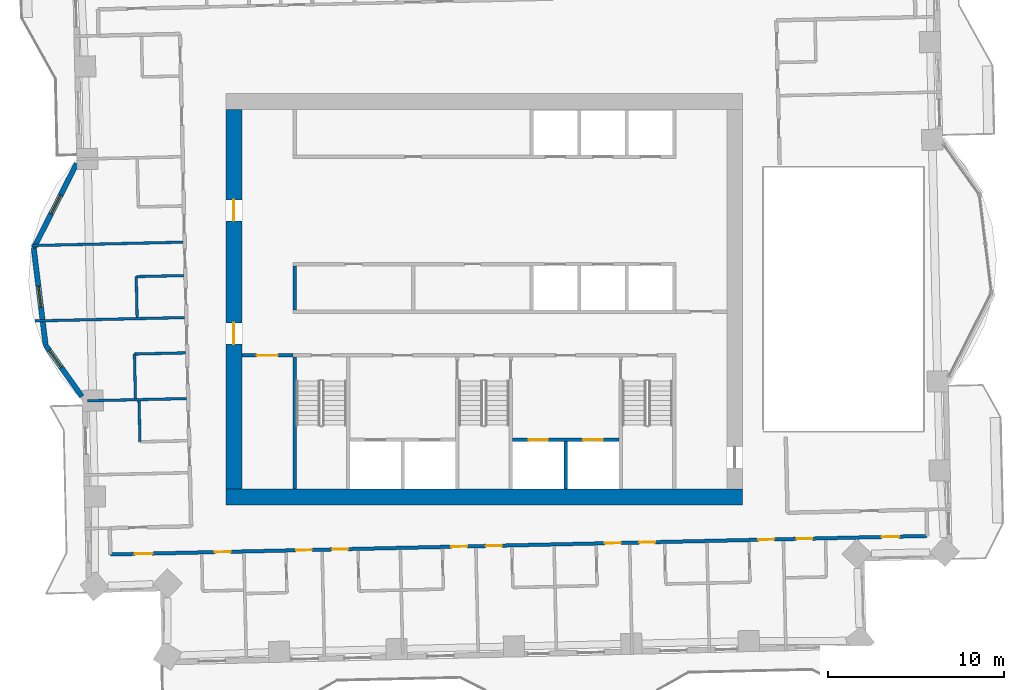
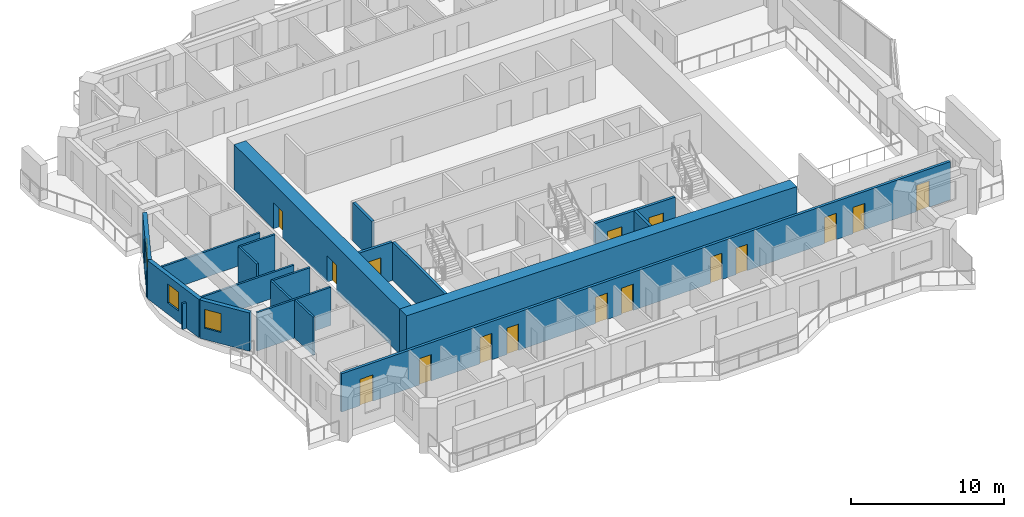
# One storey, part 7 of 16: 19 walls, 16 doors, 3 windows, 19 openings.
"""IFC4 building model written with IfcOpenShell, lengths in metres."""

from ifc_helpers import new_model, si_unit, direction, frame, frame_2d, origin, place, context, subcontext, project, spatial, rectangle, extrude, material, layer, layer_set, type_object, element, fill, save


model = new_model("IFC4")

# Units and contexts
model_context = context("Model", 3, precision=1e-05, world=origin(), true_north=direction((0.0, 1.0)))
body_context = subcontext(model_context, "Body", "Model", "MODEL_VIEW")
ifc_project = project(units=[si_unit("LENGTHUNIT", "METRE"), si_unit("AREAUNIT", "SQUARE_METRE"), si_unit("VOLUMEUNIT", "CUBIC_METRE"), si_unit("PLANEANGLEUNIT", "RADIAN"), si_unit("MASSUNIT", "GRAM", prefix="KILO")], contexts=[model_context])

# Site, building, storey
site_placement = place(None, origin())
site = spatial("IfcSite", under=ifc_project, at=site_placement, CompositionType="ELEMENT")
building_placement = place(site_placement, origin())
building = spatial("IfcBuilding", under=site, at=building_placement, Name="Mangrove Gate Tower", CompositionType="ELEMENT")
storey_placement = place(building_placement, frame((0.0, 0.0, 189.699951171875)))
storey = spatial("IfcBuildingStorey", under=building, at=storey_placement, Name="L48", CompositionType="ELEMENT", Elevation=189.699951171875)

# Wall, opening, door
ifc_material_1 = material(Name="Concrete C32/40", Category="concrete")
ifc_layer_1 = layer(ifc_material_1, 0.199951171875)
ifc_layer_set_1 = layer_set([ifc_layer_1], Name="Core lobby wall 200 C32/40")
wall_type_1 = type_object("IfcWallType", Name="Core lobby wall 200 C32/40", PredefinedType="STANDARD", material=ifc_layer_set_1)
wall_1_placement = place(storey_placement, frame((-13.800048828125, -3.199951171875, 0.0), z_axis=(0.0, 0.0, 1.0), x_axis=(1.0, 0.0, 0.0)))
wall_1 = element("IfcWall", 1, at=wall_1_placement, inside=storey, type_object=wall_type_1, Name="WALL-L48-CORE-30", PredefinedType="STANDARD", context=body_context, shape_type="SweptSolid", body=[
    extrude(rectangle(XDim=2.900146484375, YDim=0.199951171875, at=frame_2d((1.4501953125, 0.0))), origin(), (0.0, 0.0, 1.0), 3.050048828125),
])
opening_1_placement = place(wall_1_placement, frame((0.85009765625, 0.0, 0.0)))
opening_1 = element("IfcOpeningElement", 2, at=opening_1_placement, cuts=wall_1, Name="Opening FL12", PredefinedType="OPENING", context=body_context, shape_type="SweptSolid", body=[
    extrude(rectangle(XDim=1.199951171875, YDim=2.10009765625, at=frame_2d((0.60009765625, 1.050048828125))), frame((0.0, 0.10986328125, 0.0), z_axis=(0.0, -1.0, 0.0), x_axis=(1.0, 0.0, 0.0)), (0.0, 0.0, 1.0), 0.219970703125),
])
ifc_material_2 = material(Name="Fire-rated steel door set", Category="steel")
door_type_1 = type_object("IfcDoorType", Name="Lobby door FD60 1200x2100", OperationType="SINGLE_SWING_LEFT", PredefinedType="DOOR", material=ifc_material_2)
door_1_placement = place(opening_1_placement, origin())
door_1 = element("IfcDoor", 3, at=door_1_placement, inside=storey, type_object=door_type_1, Name="Lobby door core corridor W partition", OperationType="SINGLE_SWING_LEFT", OverallHeight=2.10009765625, OverallWidth=1.199951171875, PredefinedType="DOOR", context=body_context, shape_type="SweptSolid", body=[
    extrude(rectangle(XDim=1.199951171875, YDim=2.10009765625, at=frame_2d((0.60009765625, 1.050048828125))), frame((0.0, 0.02490234375, 0.0), z_axis=(0.0, -1.0, 0.0), x_axis=(1.0, 0.0, 0.0)), (0.0, 0.0, 1.0), 0.050048828125),
])
fill(opening_1, door_1)

# Wall
ifc_material_3 = material(Name="Concrete C32/40", Category="concrete")
ifc_layer_2 = layer(ifc_material_3, 0.199951171875)
ifc_layer_set_2 = layer_set([ifc_layer_2], Name="Core room wall 200 C32/40")
wall_type_2 = type_object("IfcWallType", Name="Core room wall 200 C32/40", PredefinedType="STANDARD", material=ifc_layer_set_2)
wall_2_placement = place(storey_placement, frame((-10.800048828125, -0.60009765625, 0.0), z_axis=(0.0, 0.0, 1.0), x_axis=(0.0, 1.0, 0.0)))
element("IfcWall", 4, at=wall_2_placement, inside=storey, type_object=wall_type_2, Name="WALL-L48-CORE-19", PredefinedType="STANDARD", context=body_context, shape_type="SweptSolid", body=[
    extrude(rectangle(XDim=2.5, YDim=0.199951171875, at=frame_2d((1.25, 0.0))), origin(), (0.0, 0.0, 1.0), 3.050048828125),
])

# Wall, openings, doors
ifc_material_4 = material(Name="Concrete C60/75", Category="concrete")
ifc_layer_3 = layer(ifc_material_4, 0.199951171875)
ifc_layer_set_3 = layer_set([ifc_layer_3], Name="Core shaft wall 200 C60/75")
wall_type_3 = type_object("IfcWallType", Name="Core shaft wall 200 C60/75", PredefinedType="SHEAR", material=ifc_layer_set_3)
wall_3_placement = place(storey_placement, frame((1.60009765625, -8.0, 0.0), z_axis=(0.0, 0.0, 1.0), x_axis=(1.0, 0.0, 0.0)))
wall_3 = element("IfcWall", 5, at=wall_3_placement, inside=storey, type_object=wall_type_3, Name="WALL-L48-CORE-17", PredefinedType="SHEAR", context=body_context, shape_type="SweptSolid", body=[
    extrude(rectangle(XDim=6.0498046875, YDim=0.199951171875, at=frame_2d((3.02490234375, 0.0))), origin(), (0.0, 0.0, 1.0), 3.050048828125),
])
opening_2_placement = place(wall_3_placement, frame((0.91259765625, 0.0, 0.0)))
opening_2 = element("IfcOpeningElement", 6, at=opening_2_placement, cuts=wall_3, Name="Opening LD", PredefinedType="OPENING", context=body_context, shape_type="SweptSolid", body=[
    extrude(rectangle(XDim=1.10009765625, YDim=2.10009765625, at=frame_2d((0.550048828125, 1.050048828125))), frame((0.0, 0.10986328125, 0.0), z_axis=(0.0, -1.0, 0.0), x_axis=(1.0, 0.0, 0.0)), (0.0, 0.0, 1.0), 0.219970703125),
])
opening_3_placement = place(wall_3_placement, frame((4.03759765625, 0.0, 0.0)))
opening_3 = element("IfcOpeningElement", 7, at=opening_3_placement, cuts=wall_3, Name="Opening LD", PredefinedType="OPENING", context=body_context, shape_type="SweptSolid", body=[
    extrude(rectangle(XDim=1.10009765625, YDim=2.10009765625, at=frame_2d((0.550048828125, 1.050048828125))), frame((0.0, 0.10986328125, 0.0), z_axis=(0.0, -1.0, 0.0), x_axis=(1.0, 0.0, 0.0)), (0.0, 0.0, 1.0), 0.219970703125),
])
ifc_material_5 = material(Name="Stainless steel 316", Category="steel")
door_type_2 = type_object("IfcDoorType", Name="Lift landing door 1100x2100", OperationType="SLIDING_TO_LEFT", PredefinedType="DOOR", material=ifc_material_5)
door_2_placement = place(opening_2_placement, origin())
door_2 = element("IfcDoor", 8, at=door_2_placement, inside=storey, type_object=door_type_2, Name="Landing door LD FFL1", OperationType="SLIDING_TO_LEFT", OverallHeight=2.10009765625, OverallWidth=1.10009765625, PredefinedType="DOOR", context=body_context, shape_type="SweptSolid", body=[
    extrude(rectangle(XDim=1.10009765625, YDim=2.10009765625, at=frame_2d((0.550048828125, 1.050048828125))), frame((0.0, 0.02490234375, 0.0), z_axis=(0.0, -1.0, 0.0), x_axis=(1.0, 0.0, 0.0)), (0.0, 0.0, 1.0), 0.050048828125),
])
fill(opening_2, door_2)
door_3_placement = place(opening_3_placement, origin())
door_3 = element("IfcDoor", 9, at=door_3_placement, inside=storey, type_object=door_type_2, Name="Landing door LD FFL2", OperationType="SLIDING_TO_LEFT", OverallHeight=2.10009765625, OverallWidth=1.10009765625, PredefinedType="DOOR", context=body_context, shape_type="SweptSolid", body=[
    extrude(rectangle(XDim=1.10009765625, YDim=2.10009765625, at=frame_2d((0.550048828125, 1.050048828125))), frame((0.0, 0.02490234375, 0.0), z_axis=(0.0, -1.0, 0.0), x_axis=(1.0, 0.0, 0.0)), (0.0, 0.0, 1.0), 0.050048828125),
])
fill(opening_3, door_3)

# Walls
wall_4_placement = place(storey_placement, frame((4.625, -10.800048828125, 0.0), z_axis=(0.0, 0.0, 1.0), x_axis=(0.0, 1.0, 0.0)))
element("IfcWall", 10, at=wall_4_placement, inside=storey, type_object=wall_type_3, Name="WALL-L48-CORE-18", PredefinedType="SHEAR", context=body_context, shape_type="SweptSolid", body=[
    extrude(rectangle(XDim=2.699951171875, YDim=0.199951171875, at=frame_2d((1.35009765625, 0.0))), origin(), (0.0, 0.0, 1.0), 3.050048828125),
])
ifc_material_6 = material(Name="Concrete C60/75", Category="concrete")
ifc_layer_4 = layer(ifc_material_6, 0.199951171875)
ifc_layer_set_4 = layer_set([ifc_layer_4], Name="Core stair wall 200 C60/75")
wall_type_4 = type_object("IfcWallType", Name="Core stair wall 200 C60/75", PredefinedType="SHEAR", material=ifc_layer_set_4)
wall_5_placement = place(storey_placement, frame((-10.800048828125, -10.800048828125, 0.0), z_axis=(0.0, 0.0, 1.0), x_axis=(0.0, 1.0, 0.0)))
element("IfcWall", 11, at=wall_5_placement, inside=storey, type_object=wall_type_4, Name="WALL-L48-CORE-9", PredefinedType="SHEAR", context=body_context, shape_type="SweptSolid", body=[
    extrude(rectangle(XDim=7.5, YDim=0.199951171875, at=frame_2d((3.75, 0.0))), origin(), (0.0, 0.0, 1.0), 3.050048828125),
])
ifc_material_7 = material(Name="Concrete C60/75", Category="concrete")
ifc_layer_5 = layer(ifc_material_7, 0.89990234375)
ifc_layer_set_5 = layer_set([ifc_layer_5], Name="Core wall 900 C60/75")
wall_type_5 = type_object("IfcWallType", Name="Core wall 900 C60/75", PredefinedType="SHEAR", material=ifc_layer_set_5)
wall_6_placement = place(storey_placement, frame((-14.699951171875, -11.25, 0.0), z_axis=(0.0, 0.0, 1.0), x_axis=(1.0, 0.0, 0.0)))
element("IfcWall", 12, at=wall_6_placement, inside=storey, type_object=wall_type_5, Name="WALL-L48-CORE-1", PredefinedType="SHEAR", context=body_context, shape_type="SweptSolid", body=[
    extrude(rectangle(XDim=29.39990234375, YDim=0.89990234375, at=frame_2d((14.699951171875, 0.0))), origin(), (0.0, 0.0, 1.0), 3.60009765625),
])

# Wall, openings, doors
wall_7_placement = place(storey_placement, frame((-14.25, -10.800048828125, 0.0), z_axis=(0.0, 0.0, 1.0), x_axis=(0.0, 1.0, 0.0)))
wall_7 = element("IfcWall", 13, at=wall_7_placement, inside=storey, type_object=wall_type_5, Name="WALL-L48-CORE-3", PredefinedType="SHEAR", context=body_context, shape_type="SweptSolid", body=[
    extrude(rectangle(XDim=21.60009765625, YDim=0.89990234375, at=frame_2d((10.800048828125, 0.0))), origin(), (0.0, 0.0, 1.0), 3.60009765625),
])
opening_4_placement = place(wall_7_placement, frame((8.25, 0.0, 0.0)))
opening_4 = element("IfcOpeningElement", 14, at=opening_4_placement, cuts=wall_7, Name="Opening CD", PredefinedType="OPENING", context=body_context, shape_type="SweptSolid", body=[
    extrude(rectangle(XDim=1.199951171875, YDim=2.10009765625, at=frame_2d((0.60009765625, 1.050048828125))), frame((0.0, 0.4599609375, 0.0), z_axis=(0.0, -1.0, 0.0), x_axis=(1.0, 0.0, 0.0)), (0.0, 0.0, 1.0), 0.919921875),
])
opening_5_placement = place(wall_7_placement, frame((15.25, 0.0, 0.0)))
opening_5 = element("IfcOpeningElement", 15, at=opening_5_placement, cuts=wall_7, Name="Opening CD", PredefinedType="OPENING", context=body_context, shape_type="SweptSolid", body=[
    extrude(rectangle(XDim=1.199951171875, YDim=2.10009765625, at=frame_2d((0.60009765625, 1.050048828125))), frame((0.0, 0.4599609375, 0.0), z_axis=(0.0, -1.0, 0.0), x_axis=(1.0, 0.0, 0.0)), (0.0, 0.0, 1.0), 0.919921875),
])
ifc_material_8 = material(Name="Fire-rated steel door set", Category="steel")
door_type_3 = type_object("IfcDoorType", Name="Core ring door FD60 1200x2100", OperationType="DOUBLE_DOOR_SINGLE_SWING", PredefinedType="DOOR", material=ifc_material_8)
door_4_placement = place(opening_4_placement, origin())
door_4 = element("IfcDoor", 16, at=door_4_placement, inside=storey, type_object=door_type_3, Name="Core ring door W1", OperationType="DOUBLE_DOOR_SINGLE_SWING", OverallHeight=2.10009765625, OverallWidth=1.199951171875, PredefinedType="DOOR", context=body_context, shape_type="SweptSolid", body=[
    extrude(rectangle(XDim=1.199951171875, YDim=2.10009765625, at=frame_2d((0.60009765625, 1.050048828125))), frame((0.0, 0.02490234375, 0.0), z_axis=(0.0, -1.0, 0.0), x_axis=(1.0, 0.0, 0.0)), (0.0, 0.0, 1.0), 0.050048828125),
])
fill(opening_4, door_4)
door_5_placement = place(opening_5_placement, origin())
door_5 = element("IfcDoor", 17, at=door_5_placement, inside=storey, type_object=door_type_3, Name="Core ring door W2", OperationType="DOUBLE_DOOR_SINGLE_SWING", OverallHeight=2.10009765625, OverallWidth=1.199951171875, PredefinedType="DOOR", context=body_context, shape_type="SweptSolid", body=[
    extrude(rectangle(XDim=1.199951171875, YDim=2.10009765625, at=frame_2d((0.60009765625, 1.050048828125))), frame((0.0, 0.02490234375, 0.0), z_axis=(0.0, -1.0, 0.0), x_axis=(1.0, 0.0, 0.0)), (0.0, 0.0, 1.0), 0.050048828125),
])
fill(opening_5, door_5)

ifc_material_9 = material(Name="Gypsum board on steel stud, EI 60", Category="steel")
ifc_layer_6 = layer(ifc_material_9, 0.199951171875)
ifc_layer_set_6 = layer_set([ifc_layer_6], Name="Corridor wall EI 60")
wall_type_6 = type_object("IfcWallType", Name="Corridor wall EI 60", PredefinedType="PARTITIONING", material=ifc_layer_set_6)
wall_8_placement = place(storey_placement, frame((-21.279052734375, -14.52294921875, 0.0), z_axis=(0.0, 0.0, 1.0), x_axis=(0.999742878501, 0.022675468818, 0.0)))
wall_8 = element("IfcWall", 18, at=wall_8_placement, inside=storey, type_object=wall_type_6, Name="WALL-L48-024", PredefinedType="PARTITIONING", context=body_context, shape_type="SweptSolid", body=[
    extrude(rectangle(XDim=46.47998046875, YDim=0.199951171875, at=frame_2d((23.239990234375, 0.0))), origin(), (0.0, 0.0, 1.0), 3.050048828125),
])
opening_6_placement = place(wall_8_placement, frame((1.39990234375, 0.0, 0.0)))
opening_6 = element("IfcOpeningElement", 19, at=opening_6_placement, cuts=wall_8, Name="Opening AD", PredefinedType="OPENING", context=body_context, shape_type="SweptSolid", body=[
    extrude(rectangle(XDim=1.0, YDim=2.10009765625, at=frame_2d((0.5, 1.050048828125))), frame((0.0, 0.10986328125, 0.0), z_axis=(0.0, -1.0, 0.0), x_axis=(1.0, 0.0, 0.0)), (0.0, 0.0, 1.0), 0.219970703125),
])
opening_7_placement = place(wall_8_placement, frame((5.949951171875, 0.0, 0.0)))
opening_7 = element("IfcOpeningElement", 20, at=opening_7_placement, cuts=wall_8, Name="Opening SD", PredefinedType="OPENING", context=body_context, shape_type="SweptSolid", body=[
    extrude(rectangle(XDim=0.89990234375, YDim=2.10009765625, at=frame_2d((0.449951171875, 1.050048828125))), frame((0.0, 0.10986328125, 0.0), z_axis=(0.0, -1.0, 0.0), x_axis=(1.0, 0.0, 0.0)), (0.0, 0.0, 1.0), 0.219970703125),
])
opening_8_placement = place(wall_8_placement, frame((10.574951171875, 0.0, 0.0)))
opening_8 = element("IfcOpeningElement", 21, at=opening_8_placement, cuts=wall_8, Name="Opening BD", PredefinedType="OPENING", context=body_context, shape_type="SweptSolid", body=[
    extrude(rectangle(XDim=0.89990234375, YDim=2.10009765625, at=frame_2d((0.449951171875, 1.050048828125))), frame((0.0, 0.10986328125, 0.0), z_axis=(0.0, -1.0, 0.0), x_axis=(1.0, 0.0, 0.0)), (0.0, 0.0, 1.0), 0.219970703125),
])
opening_9_placement = place(wall_8_placement, frame((12.625, 0.0, 0.0)))
opening_9 = element("IfcOpeningElement", 22, at=opening_9_placement, cuts=wall_8, Name="Opening BD", PredefinedType="OPENING", context=body_context, shape_type="SweptSolid", body=[
    extrude(rectangle(XDim=0.89990234375, YDim=2.10009765625, at=frame_2d((0.449951171875, 1.050048828125))), frame((0.0, 0.10986328125, 0.0), z_axis=(0.0, -1.0, 0.0), x_axis=(1.0, 0.0, 0.0)), (0.0, 0.0, 1.0), 0.219970703125),
])
opening_10_placement = place(wall_8_placement, frame((19.39990234375, 0.0, 0.0)))
opening_10 = element("IfcOpeningElement", 23, at=opening_10_placement, cuts=wall_8, Name="Opening BD", PredefinedType="OPENING", context=body_context, shape_type="SweptSolid", body=[
    extrude(rectangle(XDim=0.89990234375, YDim=2.10009765625, at=frame_2d((0.449951171875, 1.050048828125))), frame((0.0, 0.10986328125, 0.0), z_axis=(0.0, -1.0, 0.0), x_axis=(1.0, 0.0, 0.0)), (0.0, 0.0, 1.0), 0.219970703125),
])
opening_11_placement = place(wall_8_placement, frame((21.375, 0.0, 0.0)))
opening_11 = element("IfcOpeningElement", 24, at=opening_11_placement, cuts=wall_8, Name="Opening BD", PredefinedType="OPENING", context=body_context, shape_type="SweptSolid", body=[
    extrude(rectangle(XDim=0.89990234375, YDim=2.10009765625, at=frame_2d((0.449951171875, 1.050048828125))), frame((0.0, 0.10986328125, 0.0), z_axis=(0.0, -1.0, 0.0), x_axis=(1.0, 0.0, 0.0)), (0.0, 0.0, 1.0), 0.219970703125),
])
opening_12_placement = place(wall_8_placement, frame((28.14990234375, 0.0, 0.0)))
opening_12 = element("IfcOpeningElement", 25, at=opening_12_placement, cuts=wall_8, Name="Opening BD", PredefinedType="OPENING", context=body_context, shape_type="SweptSolid", body=[
    extrude(rectangle(XDim=0.89990234375, YDim=2.10009765625, at=frame_2d((0.449951171875, 1.050048828125))), frame((0.0, 0.10986328125, 0.0), z_axis=(0.0, -1.0, 0.0), x_axis=(1.0, 0.0, 0.0)), (0.0, 0.0, 1.0), 0.219970703125),
])
opening_13_placement = place(wall_8_placement, frame((30.10009765625, 0.0, 0.0)))
opening_13 = element("IfcOpeningElement", 26, at=opening_13_placement, cuts=wall_8, Name="Opening BD", PredefinedType="OPENING", context=body_context, shape_type="SweptSolid", body=[
    extrude(rectangle(XDim=0.89990234375, YDim=2.10009765625, at=frame_2d((0.449951171875, 1.050048828125))), frame((0.0, 0.10986328125, 0.0), z_axis=(0.0, -1.0, 0.0), x_axis=(1.0, 0.0, 0.0)), (0.0, 0.0, 1.0), 0.219970703125),
])
opening_14_placement = place(wall_8_placement, frame((36.875, 0.0, 0.0)))
opening_14 = element("IfcOpeningElement", 27, at=opening_14_placement, cuts=wall_8, Name="Opening BD", PredefinedType="OPENING", context=body_context, shape_type="SweptSolid", body=[
    extrude(rectangle(XDim=0.89990234375, YDim=2.10009765625, at=frame_2d((0.449951171875, 1.050048828125))), frame((0.0, 0.10986328125, 0.0), z_axis=(0.0, -1.0, 0.0), x_axis=(1.0, 0.0, 0.0)), (0.0, 0.0, 1.0), 0.219970703125),
])
opening_15_placement = place(wall_8_placement, frame((43.889892578125, 0.0, 0.0)))
opening_15 = element("IfcOpeningElement", 28, at=opening_15_placement, cuts=wall_8, Name="Opening AD", PredefinedType="OPENING", context=body_context, shape_type="SweptSolid", body=[
    extrude(rectangle(XDim=1.0, YDim=2.10009765625, at=frame_2d((0.5, 1.050048828125))), frame((0.0, 0.10986328125, 0.0), z_axis=(0.0, -1.0, 0.0), x_axis=(1.0, 0.0, 0.0)), (0.0, 0.0, 1.0), 0.219970703125),
])
opening_16_placement = place(wall_8_placement, frame((39.050048828125, 0.0, 0.0)))
opening_16 = element("IfcOpeningElement", 29, at=opening_16_placement, cuts=wall_8, Name="Opening SD", PredefinedType="OPENING", context=body_context, shape_type="SweptSolid", body=[
    extrude(rectangle(XDim=0.89990234375, YDim=2.10009765625, at=frame_2d((0.449951171875, 1.050048828125))), frame((0.0, 0.10986328125, 0.0), z_axis=(0.0, -1.0, 0.0), x_axis=(1.0, 0.0, 0.0)), (0.0, 0.0, 1.0), 0.219970703125),
])
ifc_material_10 = material(Name="Timber door leaf", Category="wood")
door_type_4 = type_object("IfcDoorType", Name="Amenity door 1000", OperationType="SINGLE_SWING_LEFT", PredefinedType="DOOR", material=ifc_material_10)
door_6_placement = place(opening_6_placement, origin())
door_6 = element("IfcDoor", 30, at=door_6_placement, inside=storey, type_object=door_type_4, Name="DOOR-L48-KIT-c1a", OperationType="SINGLE_SWING_LEFT", OverallHeight=2.10009765625, OverallWidth=1.0, PredefinedType="DOOR", context=body_context, shape_type="SweptSolid", body=[
    extrude(rectangle(XDim=1.0, YDim=2.10009765625, at=frame_2d((0.5, 1.050048828125))), frame((0.0, 0.02490234375, 0.0), z_axis=(0.0, -1.0, 0.0), x_axis=(1.0, 0.0, 0.0)), (0.0, 0.0, 1.0), 0.050048828125),
])
fill(opening_6, door_6)
door_7_placement = place(opening_15_placement, origin())
door_7 = element("IfcDoor", 31, at=door_7_placement, inside=storey, type_object=door_type_4, Name="DOOR-L48-KIT-c3a", OperationType="SINGLE_SWING_RIGHT", OverallHeight=2.10009765625, OverallWidth=1.0, PredefinedType="DOOR", context=body_context, shape_type="SweptSolid", body=[
    extrude(rectangle(XDim=1.0, YDim=2.10009765625, at=frame_2d((0.5, 1.050048828125))), frame((0.0, 0.02490234375, 0.0), z_axis=(0.0, -1.0, 0.0), x_axis=(1.0, 0.0, 0.0)), (0.0, 0.0, 1.0), 0.050048828125),
])
fill(opening_15, door_7)
ifc_material_11 = material(Name="Timber door leaf", Category="wood")
door_type_5 = type_object("IfcDoorType", Name="Bedroom door 900", OperationType="SINGLE_SWING_LEFT", PredefinedType="DOOR", material=ifc_material_11)
door_8_placement = place(opening_8_placement, origin())
door_8 = element("IfcDoor", 32, at=door_8_placement, inside=storey, type_object=door_type_5, Name="DOOR-L48-BED-c101", OperationType="SINGLE_SWING_LEFT", OverallHeight=2.10009765625, OverallWidth=0.89990234375, PredefinedType="DOOR", context=body_context, shape_type="SweptSolid", body=[
    extrude(rectangle(XDim=0.89990234375, YDim=2.10009765625, at=frame_2d((0.449951171875, 1.050048828125))), frame((0.0, 0.02490234375, 0.0), z_axis=(0.0, -1.0, 0.0), x_axis=(1.0, 0.0, 0.0)), (0.0, 0.0, 1.0), 0.050048828125),
])
fill(opening_8, door_8)
door_9_placement = place(opening_9_placement, origin())
door_9 = element("IfcDoor", 33, at=door_9_placement, inside=storey, type_object=door_type_5, Name="DOOR-L48-BED-c102", OperationType="SINGLE_SWING_RIGHT", OverallHeight=2.10009765625, OverallWidth=0.89990234375, PredefinedType="DOOR", context=body_context, shape_type="SweptSolid", body=[
    extrude(rectangle(XDim=0.89990234375, YDim=2.10009765625, at=frame_2d((0.449951171875, 1.050048828125))), frame((0.0, 0.02490234375, 0.0), z_axis=(0.0, -1.0, 0.0), x_axis=(1.0, 0.0, 0.0)), (0.0, 0.0, 1.0), 0.050048828125),
])
fill(opening_9, door_9)
door_10_placement = place(opening_10_placement, origin())
door_10 = element("IfcDoor", 34, at=door_10_placement, inside=storey, type_object=door_type_5, Name="DOOR-L48-BED-c103", OperationType="SINGLE_SWING_LEFT", OverallHeight=2.10009765625, OverallWidth=0.89990234375, PredefinedType="DOOR", context=body_context, shape_type="SweptSolid", body=[
    extrude(rectangle(XDim=0.89990234375, YDim=2.10009765625, at=frame_2d((0.449951171875, 1.050048828125))), frame((0.0, 0.02490234375, 0.0), z_axis=(0.0, -1.0, 0.0), x_axis=(1.0, 0.0, 0.0)), (0.0, 0.0, 1.0), 0.050048828125),
])
fill(opening_10, door_10)
door_11_placement = place(opening_11_placement, origin())
door_11 = element("IfcDoor", 35, at=door_11_placement, inside=storey, type_object=door_type_5, Name="DOOR-L48-BED-c204", OperationType="SINGLE_SWING_RIGHT", OverallHeight=2.10009765625, OverallWidth=0.89990234375, PredefinedType="DOOR", context=body_context, shape_type="SweptSolid", body=[
    extrude(rectangle(XDim=0.89990234375, YDim=2.10009765625, at=frame_2d((0.449951171875, 1.050048828125))), frame((0.0, 0.02490234375, 0.0), z_axis=(0.0, -1.0, 0.0), x_axis=(1.0, 0.0, 0.0)), (0.0, 0.0, 1.0), 0.050048828125),
])
fill(opening_11, door_11)
door_12_placement = place(opening_12_placement, origin())
door_12 = element("IfcDoor", 36, at=door_12_placement, inside=storey, type_object=door_type_5, Name="DOOR-L48-BED-c205", OperationType="SINGLE_SWING_LEFT", OverallHeight=2.10009765625, OverallWidth=0.89990234375, PredefinedType="DOOR", context=body_context, shape_type="SweptSolid", body=[
    extrude(rectangle(XDim=0.89990234375, YDim=2.10009765625, at=frame_2d((0.449951171875, 1.050048828125))), frame((0.0, 0.02490234375, 0.0), z_axis=(0.0, -1.0, 0.0), x_axis=(1.0, 0.0, 0.0)), (0.0, 0.0, 1.0), 0.050048828125),
])
fill(opening_12, door_12)
door_13_placement = place(opening_13_placement, origin())
door_13 = element("IfcDoor", 37, at=door_13_placement, inside=storey, type_object=door_type_5, Name="DOOR-L48-BED-c206", OperationType="SINGLE_SWING_RIGHT", OverallHeight=2.10009765625, OverallWidth=0.89990234375, PredefinedType="DOOR", context=body_context, shape_type="SweptSolid", body=[
    extrude(rectangle(XDim=0.89990234375, YDim=2.10009765625, at=frame_2d((0.449951171875, 1.050048828125))), frame((0.0, 0.02490234375, 0.0), z_axis=(0.0, -1.0, 0.0), x_axis=(1.0, 0.0, 0.0)), (0.0, 0.0, 1.0), 0.050048828125),
])
fill(opening_13, door_13)
door_14_placement = place(opening_14_placement, origin())
door_14 = element("IfcDoor", 38, at=door_14_placement, inside=storey, type_object=door_type_5, Name="DOOR-L48-BED-c307", OperationType="SINGLE_SWING_LEFT", OverallHeight=2.10009765625, OverallWidth=0.89990234375, PredefinedType="DOOR", context=body_context, shape_type="SweptSolid", body=[
    extrude(rectangle(XDim=0.89990234375, YDim=2.10009765625, at=frame_2d((0.449951171875, 1.050048828125))), frame((0.0, 0.02490234375, 0.0), z_axis=(0.0, -1.0, 0.0), x_axis=(1.0, 0.0, 0.0)), (0.0, 0.0, 1.0), 0.050048828125),
])
fill(opening_14, door_14)
ifc_material_12 = material(Name="Timber door leaf", Category="wood")
door_type_6 = type_object("IfcDoorType", Name="Service room door 900", OperationType="SINGLE_SWING_LEFT", PredefinedType="DOOR", material=ifc_material_12)
door_15_placement = place(opening_7_placement, origin())
door_15 = element("IfcDoor", 39, at=door_15_placement, inside=storey, type_object=door_type_6, Name="DOOR-L48-LIN-c1a", OperationType="SINGLE_SWING_LEFT", OverallHeight=2.10009765625, OverallWidth=0.89990234375, PredefinedType="DOOR", context=body_context, shape_type="SweptSolid", body=[
    extrude(rectangle(XDim=0.89990234375, YDim=2.10009765625, at=frame_2d((0.449951171875, 1.050048828125))), frame((0.0, 0.02490234375, 0.0), z_axis=(0.0, -1.0, 0.0), x_axis=(1.0, 0.0, 0.0)), (0.0, 0.0, 1.0), 0.050048828125),
])
fill(opening_7, door_15)
door_16_placement = place(opening_16_placement, origin())
door_16 = element("IfcDoor", 40, at=door_16_placement, inside=storey, type_object=door_type_6, Name="DOOR-L48-LIN-c3a", OperationType="SINGLE_SWING_RIGHT", OverallHeight=2.10009765625, OverallWidth=0.89990234375, PredefinedType="DOOR", context=body_context, shape_type="SweptSolid", body=[
    extrude(rectangle(XDim=0.89990234375, YDim=2.10009765625, at=frame_2d((0.449951171875, 1.050048828125))), frame((0.0, 0.02490234375, 0.0), z_axis=(0.0, -1.0, 0.0), x_axis=(1.0, 0.0, 0.0)), (0.0, 0.0, 1.0), 0.050048828125),
])
fill(opening_16, door_16)

# Wall, opening, window
ifc_material_13 = material(Name="Limestone", Category="masonry")
ifc_layer_7 = layer(ifc_material_13, 0.0400390625, Name="Limestone cladding")
ifc_material_14 = material(Name="Ventilated air gap")
ifc_layer_8 = layer(ifc_material_14, 0.0400390625, Name="Ventilated cavity")
ifc_material_15 = material(Name="Mineral wool insulation")
ifc_layer_9 = layer(ifc_material_15, 0.06005859375, Name="Insulation")
ifc_material_16 = material(Name="Breather membrane")
ifc_layer_10 = layer(ifc_material_16, 0.001953125, Name="Breather membrane")
ifc_material_17 = material(Name="Concrete C20/25 blockwork", Category="masonry")
ifc_layer_11 = layer(ifc_material_17, 0.14990234375, Name="Blockwork backing wall")
ifc_material_18 = material(Name="Gypsum plaster")
ifc_layer_12 = layer(ifc_material_18, 0.008056640625, Name="Internal plaster")
ifc_layer_set_7 = layer_set([ifc_layer_7, ifc_layer_8, ifc_layer_9, ifc_layer_10, ifc_layer_11, ifc_layer_12], Name="External wall 300 limestone cladding")
wall_type_7 = type_object("IfcWallType", Name="External wall 300 limestone cladding", PredefinedType="SOLIDWALL", material=ifc_layer_set_7)
wall_9_placement = place(storey_placement, frame((-23.194091796875, 7.718994140625, 0.0), z_axis=(0.0, 0.0, 1.0), x_axis=(-0.452597193435, -0.891715078091, 0.0)))
wall_9 = element("IfcWall", 41, at=wall_9_placement, inside=storey, type_object=wall_type_7, Name="WALL-L48-W9f1", PredefinedType="SOLIDWALL", context=body_context, shape_type="SweptSolid", body=[
    extrude(rectangle(XDim=5.3974609375, YDim=0.300048828125, at=frame_2d((2.69873046875, 0.0))), origin(), (0.0, 0.0, 1.0), 3.050048828125),
])
opening_17_placement = place(wall_9_placement, frame((2.007080078125, 0.0, 0.89990234375)))
opening_17 = element("IfcOpeningElement", 42, at=opening_17_placement, cuts=wall_9, Name="Opening W1", PredefinedType="OPENING", context=body_context, shape_type="SweptSolid", body=[
    extrude(rectangle(XDim=1.199951171875, YDim=1.5, at=frame_2d((0.60009765625, 0.75))), frame((0.0, 0.159912109375, 0.0), z_axis=(0.0, -1.0, 0.0), x_axis=(1.0, 0.0, 0.0)), (0.0, 0.0, 1.0), 0.320068359375),
])
ifc_material_19 = material(Name="Aluminium frame with double-glazed low-e glass", Category="aluminium")
window_type = type_object("IfcWindowType", Name="Side lite 1200x1500", PartitioningType="SINGLE_PANEL", PredefinedType="WINDOW", material=ifc_material_19)
window_1_placement = place(opening_17_placement, origin())
window_1 = element("IfcWindow", 43, at=window_1_placement, inside=storey, type_object=window_type, Name="WIN-L48-W9f1", OverallHeight=1.5, OverallWidth=1.199951171875, PartitioningType="SINGLE_PANEL", PredefinedType="WINDOW", context=body_context, shape_type="SweptSolid", body=[
    extrude(rectangle(XDim=1.199951171875, YDim=1.5, at=frame_2d((0.60009765625, 0.75))), frame((0.0, 0.030029296875, 0.0), z_axis=(0.0, -1.0, 0.0), x_axis=(1.0, 0.0, 0.0)), (0.0, 0.0, 1.0), 0.06005859375),
])
fill(opening_17, window_1)

wall_10_placement = place(storey_placement, frame((-25.636962890625, 2.906005859375, 0.0), z_axis=(0.0, 0.0, 1.0), x_axis=(0.122163831021, -0.992509948761, 0.0)))
wall_10 = element("IfcWall", 44, at=wall_10_placement, inside=storey, type_object=wall_type_7, Name="WALL-L48-W9f2", PredefinedType="SOLIDWALL", context=body_context, shape_type="SweptSolid", body=[
    extrude(rectangle(XDim=5.57373046875, YDim=0.300048828125, at=frame_2d((2.786865234375, 0.0))), origin(), (0.0, 0.0, 1.0), 3.050048828125),
])
opening_18_placement = place(wall_10_placement, frame((2.18701171875, 0.0, 0.89990234375)))
opening_18 = element("IfcOpeningElement", 45, at=opening_18_placement, cuts=wall_10, Name="Opening W1", PredefinedType="OPENING", context=body_context, shape_type="SweptSolid", body=[
    extrude(rectangle(XDim=1.199951171875, YDim=1.5, at=frame_2d((0.60009765625, 0.75))), frame((0.0, 0.159912109375, 0.0), z_axis=(0.0, -1.0, 0.0), x_axis=(1.0, 0.0, 0.0)), (0.0, 0.0, 1.0), 0.320068359375),
])
window_2_placement = place(opening_18_placement, origin())
window_2 = element("IfcWindow", 46, at=window_2_placement, inside=storey, type_object=window_type, Name="WIN-L48-W9f2", OverallHeight=1.5, OverallWidth=1.199951171875, PartitioningType="SINGLE_PANEL", PredefinedType="WINDOW", context=body_context, shape_type="SweptSolid", body=[
    extrude(rectangle(XDim=1.199951171875, YDim=1.5, at=frame_2d((0.60009765625, 0.75))), frame((0.0, 0.030029296875, 0.0), z_axis=(0.0, -1.0, 0.0), x_axis=(1.0, 0.0, 0.0)), (0.0, 0.0, 1.0), 0.06005859375),
])
fill(opening_18, window_2)

wall_11_placement = place(storey_placement, frame((-24.9560546875, -2.6259765625, 0.0), z_axis=(0.0, 0.0, 1.0), x_axis=(0.578009745555, -0.816029861, 0.0)))
wall_11 = element("IfcWall", 47, at=wall_11_placement, inside=storey, type_object=wall_type_7, Name="WALL-L48-W9f3", PredefinedType="SOLIDWALL", context=body_context, shape_type="SweptSolid", body=[
    extrude(rectangle(XDim=3.5673828125, YDim=0.300048828125, at=frame_2d((1.78369140625, 0.0))), origin(), (0.0, 0.0, 1.0), 3.050048828125),
])
opening_19_placement = place(wall_11_placement, frame((0.337890625, 0.0, 0.89990234375)))
opening_19 = element("IfcOpeningElement", 48, at=opening_19_placement, cuts=wall_11, Name="Opening W1", PredefinedType="OPENING", context=body_context, shape_type="SweptSolid", body=[
    extrude(rectangle(XDim=1.199951171875, YDim=1.5, at=frame_2d((0.60009765625, 0.75))), frame((0.0, 0.159912109375, 0.0), z_axis=(0.0, -1.0, 0.0), x_axis=(1.0, 0.0, 0.0)), (0.0, 0.0, 1.0), 0.320068359375),
])
window_3_placement = place(opening_19_placement, origin())
window_3 = element("IfcWindow", 49, at=window_3_placement, inside=storey, type_object=window_type, Name="WIN-L48-W9f3", OverallHeight=1.5, OverallWidth=1.199951171875, PartitioningType="SINGLE_PANEL", PredefinedType="WINDOW", context=body_context, shape_type="SweptSolid", body=[
    extrude(rectangle(XDim=1.199951171875, YDim=1.5, at=frame_2d((0.60009765625, 0.75))), frame((0.0, 0.030029296875, 0.0), z_axis=(0.0, -1.0, 0.0), x_axis=(1.0, 0.0, 0.0)), (0.0, 0.0, 1.0), 0.06005859375),
])
fill(opening_19, window_3)

# Walls
ifc_material_20 = material(Name="Gypsum board on steel stud, EI 60", Category="steel")
ifc_layer_13 = layer(ifc_material_20, 0.14990234375)
ifc_layer_set_8 = layer_set([ifc_layer_13], Name="Party wall 150 EI 60")
wall_type_8 = type_object("IfcWallType", Name="Party wall 150 EI 60", PredefinedType="PARTITIONING", material=ifc_layer_set_8)
wall_12_placement = place(storey_placement, frame((-19.593994140625, -8.10791015625, 0.0), z_axis=(0.0, 0.0, 1.0), x_axis=(-0.02279059109, 0.999740260747, 0.0)))
element("IfcWall", 50, at=wall_12_placement, inside=storey, type_object=wall_type_8, Name="WALL-L48-035", PredefinedType="PARTITIONING", context=body_context, shape_type="SweptSolid", body=[
    extrude(rectangle(XDim=2.324462890625, YDim=0.14990234375, at=frame_2d((1.162109375, 0.0))), origin(), (0.0, 0.0, 1.0), 3.050048828125),
])
wall_13_placement = place(storey_placement, frame((-22.577880859375, -5.780029296875, 0.0), z_axis=(0.0, 0.0, 1.0), x_axis=(0.999746200787, 0.022528515532, 0.0)))
element("IfcWall", 51, at=wall_13_placement, inside=storey, type_object=wall_type_8, Name="WALL-L48-036", PredefinedType="PARTITIONING", context=body_context, shape_type="SweptSolid", body=[
    extrude(rectangle(XDim=5.63525390625, YDim=0.14990234375, at=frame_2d((2.817626953125, 0.0))), origin(), (0.0, 0.0, 1.0), 3.050048828125),
])
wall_14_placement = place(storey_placement, frame((-19.85009765625, -5.638916015625, 0.0), z_axis=(0.0, 0.0, 1.0), x_axis=(-0.022523775833, 0.999746307581, 0.0)))
element("IfcWall", 52, at=wall_14_placement, inside=storey, type_object=wall_type_8, Name="WALL-L48-037", PredefinedType="PARTITIONING", context=body_context, shape_type="SweptSolid", body=[
    extrude(rectangle(XDim=2.525634765625, YDim=0.14990234375, at=frame_2d((1.2626953125, 0.0))), origin(), (0.0, 0.0, 1.0), 3.050048828125),
])
wall_15_placement = place(storey_placement, frame((-19.902099609375, -3.118896484375, 0.0), z_axis=(0.0, 0.0, 1.0), x_axis=(0.999741618182, 0.022730967319, 0.0)))
element("IfcWall", 53, at=wall_15_placement, inside=storey, type_object=wall_type_8, Name="WALL-L48-038", PredefinedType="PARTITIONING", context=body_context, shape_type="SweptSolid", body=[
    extrude(rectangle(XDim=2.89990234375, YDim=0.14990234375, at=frame_2d((1.449951171875, 0.0))), origin(), (0.0, 0.0, 1.0), 3.050048828125),
])
wall_16_placement = place(storey_placement, frame((-19.7548828125, -1.034912109375, 0.0), z_axis=(0.0, 0.0, 1.0), x_axis=(-0.022370700241, 0.999749744571, 0.0)))
element("IfcWall", 54, at=wall_16_placement, inside=storey, type_object=wall_type_8, Name="WALL-L48-039", PredefinedType="PARTITIONING", context=body_context, shape_type="SweptSolid", body=[
    extrude(rectangle(XDim=2.324462890625, YDim=0.14990234375, at=frame_2d((1.162109375, 0.0))), origin(), (0.0, 0.0, 1.0), 3.050048828125),
])
wall_17_placement = place(storey_placement, frame((-25.574951171875, -1.237060546875, 0.0), z_axis=(0.0, 0.0, 1.0), x_axis=(0.999743576582, 0.022644670096, 0.0)))
element("IfcWall", 55, at=wall_17_placement, inside=storey, type_object=wall_type_8, Name="WALL-L48-040", PredefinedType="PARTITIONING", context=body_context, shape_type="SweptSolid", body=[
    extrude(rectangle(XDim=8.528076171875, YDim=0.14990234375, at=frame_2d((4.26416015625, 0.0))), origin(), (0.0, 0.0, 1.0), 2.050048828125),
])
wall_18_placement = place(storey_placement, frame((-19.802001953125, 1.283935546875, 0.0), z_axis=(0.0, 0.0, 1.0), x_axis=(0.999736155505, 0.022969966847, 0.0)))
element("IfcWall", 56, at=wall_18_placement, inside=storey, type_object=wall_type_8, Name="WALL-L48-041", PredefinedType="PARTITIONING", context=body_context, shape_type="SweptSolid", body=[
    extrude(rectangle(XDim=2.69970703125, YDim=0.14990234375, at=frame_2d((1.349853515625, 0.0))), origin(), (0.0, 0.0, 1.0), 3.050048828125),
])
wall_19_placement = place(storey_placement, frame((-25.75, 3.050048828125, 0.0), z_axis=(0.0, 0.0, 1.0), x_axis=(0.999743093505, 0.022665987507, 0.0)))
element("IfcWall", 57, at=wall_19_placement, inside=storey, type_object=wall_type_8, Name="WALL-L48-042", PredefinedType="PARTITIONING", context=body_context, shape_type="SweptSolid", body=[
    extrude(rectangle(XDim=8.606201171875, YDim=0.14990234375, at=frame_2d((4.30322265625, 0.0))), origin(), (0.0, 0.0, 1.0), 2.050048828125),
])

save(model, "model.ifc")
